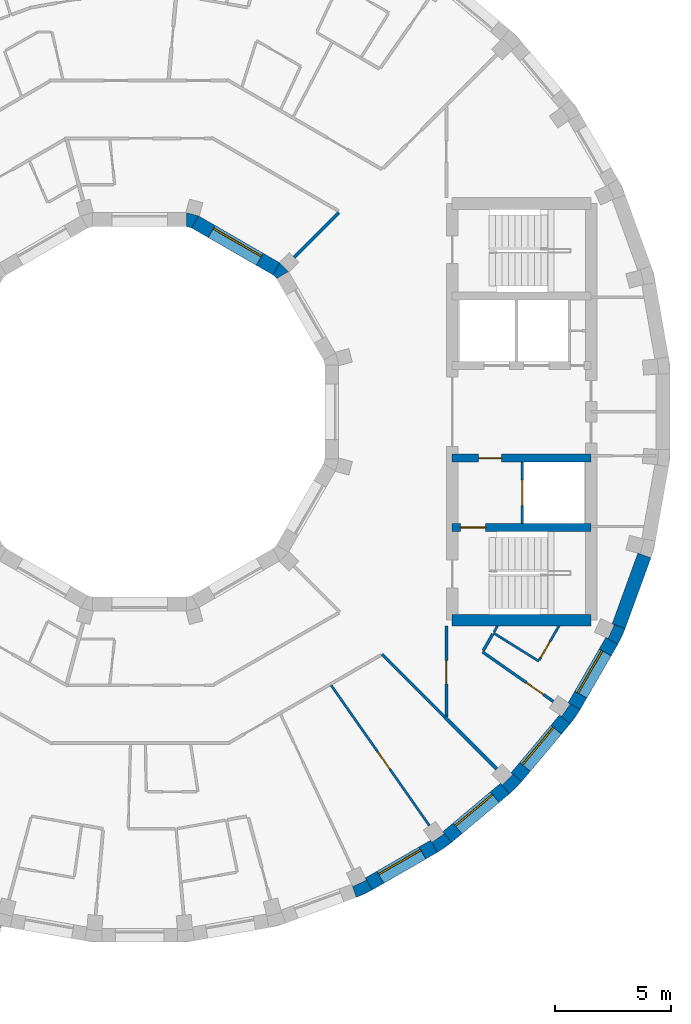
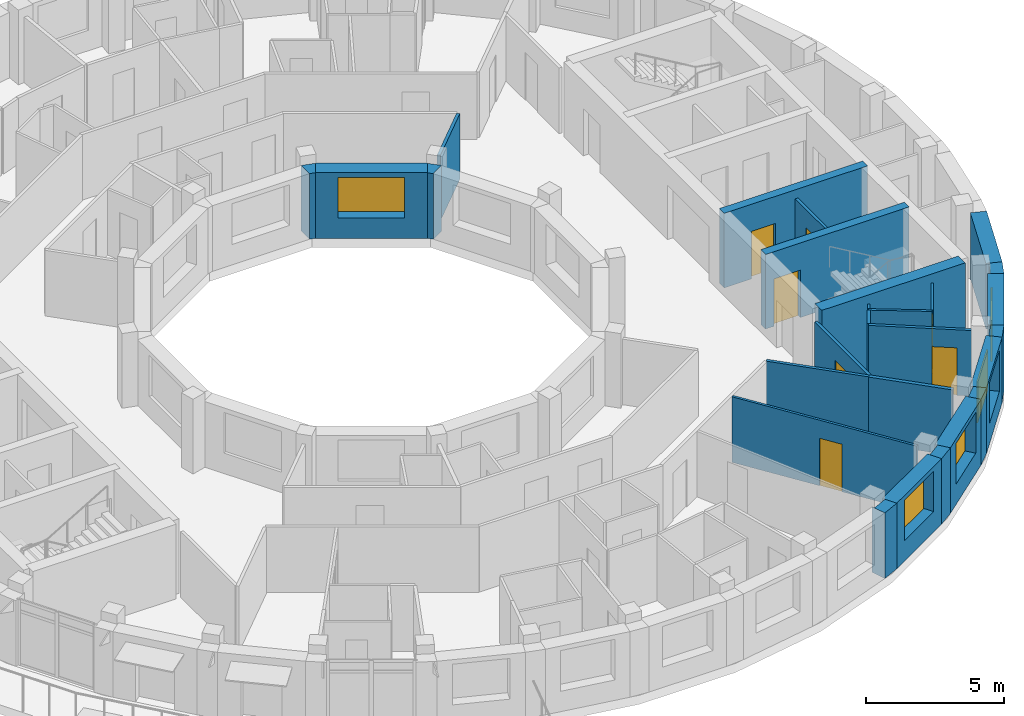
# One storey, part 7 of 12: 27 walls, 7 doors, 5 windows, 12 openings.
"""IFC4 building model written with IfcOpenShell, lengths in metres."""

from ifc_helpers import new_model, si_unit, direction, frame, frame_2d, origin, place, context, subcontext, project, spatial, polyline, rectangle, outline, extrude, material, layer, layer_set, type_object, element, fill, save


model = new_model("IFC4")

# Units and contexts
model_context = context("Model", 3, precision=1e-05, world=origin(), true_north=direction((0.0, 1.0)))
body_context = subcontext(model_context, "Body", "Model", "MODEL_VIEW")
ifc_project = project(units=[si_unit("LENGTHUNIT", "METRE"), si_unit("AREAUNIT", "SQUARE_METRE"), si_unit("VOLUMEUNIT", "CUBIC_METRE"), si_unit("PLANEANGLEUNIT", "RADIAN"), si_unit("MASSUNIT", "GRAM", prefix="KILO")], contexts=[model_context])

# Site, building, storey
site_placement = place(None, origin())
site = spatial("IfcSite", under=ifc_project, at=site_placement, CompositionType="ELEMENT")
building_placement = place(site_placement, origin())
building = spatial("IfcBuilding", under=site, at=building_placement, Name="Saqina Gate Tower", CompositionType="ELEMENT")
storey_placement = place(building_placement, frame((0.0, 0.0, 259.39990234375)))
storey = spatial("IfcBuildingStorey", under=building, at=storey_placement, Name="L74", CompositionType="ELEMENT", Elevation=259.39990234375)

# Walls
ifc_material_1 = material(Name="Brick masonry (buff)", Category="masonry")
wall_type_1 = type_object("IfcWallType", Name="BRICK PIER COPING BUFF", PredefinedType="SOLIDWALL", material=ifc_material_1)
wall_1_placement = place(storey_placement, origin())
element("IfcWall", 1, at=wall_1_placement, inside=storey, type_object=wall_type_1, Name="Pier cap L74 column 30", PredefinedType="SOLIDWALL", context=body_context, shape_type="SweptSolid", body=[
    extrude(outline(polyline([(9.3642578125, -20.974609375), (10.048095703125, -20.65576171875), (9.748291015625, -20.135986328125), (9.79296875, -20.23193359375), (9.203857421875, -20.506591796875), (9.1591796875, -20.410888671875), (9.3642578125, -20.974609375)])), origin(), (0.0, 0.0, 1.0), 2.900146484375),
])
wall_2_placement = place(storey_placement, origin())
element("IfcWall", 2, at=wall_2_placement, inside=storey, type_object=wall_type_1, Name="Pier cap L74 column 31", PredefinedType="SOLIDWALL", context=body_context, shape_type="SweptSolid", body=[
    extrude(outline(polyline([(12.8642578125, -19.02978515625), (13.482421875, -18.59716796875), (13.0966796875, -18.137451171875), (13.157470703125, -18.22412109375), (12.625, -18.596923828125), (12.564208984375, -18.51025390625), (12.8642578125, -19.02978515625)])), origin(), (0.0, 0.0, 1.0), 2.900146484375),
])
wall_3_placement = place(storey_placement, origin())
element("IfcWall", 3, at=wall_3_placement, inside=storey, type_object=wall_type_1, Name="Pier cap L74 column 32", PredefinedType="SOLIDWALL", context=body_context, shape_type="SweptSolid", body=[
    extrude(outline(polyline([(16.5068359375, -15.973388671875), (16.04736328125, -15.587646484375), (16.1220703125, -15.662353515625), (15.662353515625, -16.1220703125), (15.587646484375, -16.04736328125), (15.973388671875, -16.5068359375), (16.5068359375, -15.973388671875)])), origin(), (0.0, 0.0, 1.0), 2.900146484375),
])
wall_4_placement = place(storey_placement, origin())
element("IfcWall", 4, at=wall_4_placement, inside=storey, type_object=wall_type_1, Name="Pier cap L74 column 33", PredefinedType="SOLIDWALL", context=body_context, shape_type="SweptSolid", body=[
    extrude(outline(polyline([(19.02978515625, -12.8642578125), (18.51025390625, -12.564208984375), (18.596923828125, -12.625), (18.22412109375, -13.157470703125), (18.137451171875, -13.0966796875), (18.59716796875, -13.482421875), (19.02978515625, -12.8642578125)])), origin(), (0.0, 0.0, 1.0), 2.900146484375),
])
wall_5_placement = place(storey_placement, origin())
element("IfcWall", 5, at=wall_5_placement, inside=storey, type_object=wall_type_1, Name="Pier cap L74 column 34", PredefinedType="SOLIDWALL", context=body_context, shape_type="SweptSolid", body=[
    extrude(outline(polyline([(20.65576171875, -10.048095703125), (20.974609375, -9.3642578125), (20.410888671875, -9.1591796875), (20.506591796875, -9.203857421875), (20.23193359375, -9.79296875), (20.135986328125, -9.748291015625), (20.65576171875, -10.048095703125)])), origin(), (0.0, 0.0, 1.0), 2.900146484375),
])

# Wall, opening, window
ifc_material_2 = material(Name="Brick masonry (buff)", Category="masonry")
ifc_layer_1 = layer(ifc_material_2, 0.60009765625)
ifc_layer_set_1 = layer_set([ifc_layer_1], Name="FW-BRICK-BUFF")
wall_type_2 = type_object("IfcWallType", Name="FW-BRICK-BUFF", PredefinedType="SOLIDWALL", material=ifc_layer_set_1)
wall_6_placement = place(storey_placement, frame((9.898193359375, -20.39599609375, 0.0), z_axis=(0.0, 0.0, 1.0), x_axis=(0.866016800201, 0.500014901547, 0.0)))
wall_6 = element("IfcWall", 6, at=wall_6_placement, inside=storey, type_object=wall_type_2, Name="Facade wall L74 facet 30", PredefinedType="SOLIDWALL", context=body_context, shape_type="SweptSolid", body=[
    extrude(rectangle(XDim=3.251953125, YDim=0.60009765625, at=frame_2d((1.6259765625, 0.0))), origin(), (0.0, 0.0, 1.0), 2.900146484375),
])
opening_1_placement = place(wall_6_placement, frame((0.57568359375, 0.0, 0.89990234375)))
opening_1 = element("IfcOpeningElement", 7, at=opening_1_placement, cuts=wall_6, Name="Opening G22-W19", PredefinedType="OPENING", context=body_context, shape_type="SweptSolid", body=[
    extrude(rectangle(XDim=2.10009765625, YDim=1.800048828125, at=frame_2d((1.050048828125, 0.89990234375))), frame((0.0, 0.31201171875, 0.0), z_axis=(0.0, -1.0, 0.0), x_axis=(1.0, 0.0, 0.0)), (0.0, 0.0, 1.0), 0.6240234375),
])
ifc_material_3 = material(Name="Aluminium glazing", Category="aluminium")
window_type_1 = type_object("IfcWindowType", Name="WN-D", PartitioningType="SINGLE_PANEL", PredefinedType="WINDOW", material=ifc_material_3)
window_1_placement = place(opening_1_placement, origin())
window_1 = element("IfcWindow", 8, at=window_1_placement, inside=storey, type_object=window_type_1, Name="Window L74 facet 30", OverallHeight=1.800048828125, OverallWidth=2.10009765625, PartitioningType="SINGLE_PANEL", PredefinedType="WINDOW", context=body_context, shape_type="SweptSolid", body=[
    extrude(rectangle(XDim=2.10009765625, YDim=1.800048828125, at=frame_2d((1.050048828125, 0.89990234375))), frame((0.0, 0.179931640625, 0.0), z_axis=(0.0, -1.0, 0.0), x_axis=(1.0, 0.0, 0.0)), (0.0, 0.0, 1.0), 0.06005859375),
])
fill(opening_1, window_1)

wall_7_placement = place(storey_placement, frame((13.28955078125, -18.3671875, 0.0), z_axis=(0.0, 0.0, 1.0), x_axis=(0.766056773982, 0.64277291405, 0.0)))
wall_7 = element("IfcWall", 9, at=wall_7_placement, inside=storey, type_object=wall_type_2, Name="Facade wall L74 facet 31", PredefinedType="SOLIDWALL", context=body_context, shape_type="SweptSolid", body=[
    extrude(rectangle(XDim=3.251708984375, YDim=0.60009765625, at=frame_2d((1.6259765625, 0.0))), origin(), (0.0, 0.0, 1.0), 2.900146484375),
])
opening_2_placement = place(wall_7_placement, frame((0.57568359375, 0.0, 0.89990234375)))
opening_2 = element("IfcOpeningElement", 10, at=opening_2_placement, cuts=wall_7, Name="Opening G22-W20", PredefinedType="OPENING", context=body_context, shape_type="SweptSolid", body=[
    extrude(rectangle(XDim=2.10009765625, YDim=1.800048828125, at=frame_2d((1.050048828125, 0.89990234375))), frame((0.0, 0.31201171875, 0.0), z_axis=(0.0, -1.0, 0.0), x_axis=(1.0, 0.0, 0.0)), (0.0, 0.0, 1.0), 0.6240234375),
])
window_2_placement = place(opening_2_placement, origin())
window_2 = element("IfcWindow", 11, at=window_2_placement, inside=storey, type_object=window_type_1, Name="Window L74 facet 31", OverallHeight=1.800048828125, OverallWidth=2.10009765625, PartitioningType="SINGLE_PANEL", PredefinedType="WINDOW", context=body_context, shape_type="SweptSolid", body=[
    extrude(rectangle(XDim=2.10009765625, YDim=1.800048828125, at=frame_2d((1.050048828125, 0.89990234375))), frame((0.0, 0.179931640625, 0.0), z_axis=(0.0, -1.0, 0.0), x_axis=(1.0, 0.0, 0.0)), (0.0, 0.0, 1.0), 0.06005859375),
])
fill(opening_2, window_2)

wall_8_placement = place(storey_placement, frame((16.277099609375, -15.780517578125, 0.0), z_axis=(0.0, 0.0, 1.0), x_axis=(0.64277291405, 0.766056773982, 0.0)))
wall_8 = element("IfcWall", 12, at=wall_8_placement, inside=storey, type_object=wall_type_2, Name="Facade wall L74 facet 32", PredefinedType="SOLIDWALL", context=body_context, shape_type="SweptSolid", body=[
    extrude(rectangle(XDim=3.251708984375, YDim=0.60009765625, at=frame_2d((1.6259765625, 0.0))), origin(), (0.0, 0.0, 1.0), 2.900146484375),
])
opening_3_placement = place(wall_8_placement, frame((0.57568359375, 0.0, 0.89990234375)))
opening_3 = element("IfcOpeningElement", 13, at=opening_3_placement, cuts=wall_8, Name="Opening G22-W21", PredefinedType="OPENING", context=body_context, shape_type="SweptSolid", body=[
    extrude(rectangle(XDim=2.10009765625, YDim=1.800048828125, at=frame_2d((1.050048828125, 0.89990234375))), frame((0.0, 0.31201171875, 0.0), z_axis=(0.0, -1.0, 0.0), x_axis=(1.0, 0.0, 0.0)), (0.0, 0.0, 1.0), 0.6240234375),
])
window_3_placement = place(opening_3_placement, origin())
window_3 = element("IfcWindow", 14, at=window_3_placement, inside=storey, type_object=window_type_1, Name="Window L74 facet 32", OverallHeight=1.800048828125, OverallWidth=2.10009765625, PartitioningType="SINGLE_PANEL", PredefinedType="WINDOW", context=body_context, shape_type="SweptSolid", body=[
    extrude(rectangle(XDim=2.10009765625, YDim=1.800048828125, at=frame_2d((1.050048828125, 0.89990234375))), frame((0.0, 0.179931640625, 0.0), z_axis=(0.0, -1.0, 0.0), x_axis=(1.0, 0.0, 0.0)), (0.0, 0.0, 1.0), 0.06005859375),
])
fill(opening_3, window_3)

wall_9_placement = place(storey_placement, frame((18.77001953125, -12.71435546875, 0.0), z_axis=(0.0, 0.0, 1.0), x_axis=(0.500014901547, 0.866016800201, 0.0)))
wall_9 = element("IfcWall", 15, at=wall_9_placement, inside=storey, type_object=wall_type_2, Name="Facade wall L74 facet 33", PredefinedType="SOLIDWALL", context=body_context, shape_type="SweptSolid", body=[
    extrude(rectangle(XDim=3.251953125, YDim=0.60009765625, at=frame_2d((1.6259765625, 0.0))), origin(), (0.0, 0.0, 1.0), 2.900146484375),
])
opening_4_placement = place(wall_9_placement, frame((0.57568359375, 0.0, 0.89990234375)))
opening_4 = element("IfcOpeningElement", 16, at=opening_4_placement, cuts=wall_9, Name="Opening G22-W22", PredefinedType="OPENING", context=body_context, shape_type="SweptSolid", body=[
    extrude(rectangle(XDim=2.10009765625, YDim=1.800048828125, at=frame_2d((1.050048828125, 0.89990234375))), frame((0.0, 0.31201171875, 0.0), z_axis=(0.0, -1.0, 0.0), x_axis=(1.0, 0.0, 0.0)), (0.0, 0.0, 1.0), 0.6240234375),
])
window_4_placement = place(opening_4_placement, origin())
window_4 = element("IfcWindow", 17, at=window_4_placement, inside=storey, type_object=window_type_1, Name="Window L74 facet 33", OverallHeight=1.800048828125, OverallWidth=2.10009765625, PartitioningType="SINGLE_PANEL", PredefinedType="WINDOW", context=body_context, shape_type="SweptSolid", body=[
    extrude(rectangle(XDim=2.10009765625, YDim=1.800048828125, at=frame_2d((1.050048828125, 0.89990234375))), frame((0.0, 0.179931640625, 0.0), z_axis=(0.0, -1.0, 0.0), x_axis=(1.0, 0.0, 0.0)), (0.0, 0.0, 1.0), 0.06005859375),
])
fill(opening_4, window_4)

# Wall
ifc_material_4 = material(Name="Glazed ceramic tile (white)", Category="ceramic")
ifc_layer_2 = layer(ifc_material_4, 0.60009765625)
ifc_layer_set_2 = layer_set([ifc_layer_2], Name="FW-TILE-WH")
wall_type_3 = type_object("IfcWallType", Name="FW-TILE-WH", PredefinedType="SOLIDWALL", material=ifc_layer_set_2)
wall_10_placement = place(storey_placement, frame((20.692626953125, -9.26171875, 0.0), z_axis=(0.0, 0.0, 1.0), x_axis=(0.342056509473, 0.939679383794, 0.0)))
element("IfcWall", 18, at=wall_10_placement, inside=storey, type_object=wall_type_3, Name="Facade wall L74 facet 34", PredefinedType="SOLIDWALL", context=body_context, shape_type="SweptSolid", body=[
    extrude(rectangle(XDim=3.251708984375, YDim=0.60009765625, at=frame_2d((1.6259765625, 0.0))), origin(), (0.0, 0.0, 1.0), 2.900146484375),
])

# Wall, opening, window
ifc_material_5 = material(Name="Glazed ceramic tile", Category="ceramic")
ifc_layer_3 = layer(ifc_material_5, 0.60009765625)
ifc_layer_set_3 = layer_set([ifc_layer_3], Name="IW-TILE")
wall_type_4 = type_object("IfcWallType", Name="IW-TILE", PredefinedType="SOLIDWALL", material=ifc_layer_set_3)
wall_11_placement = place(storey_placement, frame((5.907470703125, 6.17333984375, 0.0), z_axis=(0.0, 0.0, 1.0), x_axis=(-0.866028316509, 0.499994954979, 0.0)))
wall_11 = element("IfcWall", 19, at=wall_11_placement, inside=storey, type_object=wall_type_4, Name="Well wall L74 facet 2", PredefinedType="SOLIDWALL", context=body_context, shape_type="SweptSolid", body=[
    extrude(rectangle(XDim=4.05859375, YDim=0.60009765625, at=frame_2d((2.029296875, 0.0))), origin(), (0.0, 0.0, 1.0), 2.900146484375),
])
opening_5_placement = place(wall_11_placement, frame((0.829345703125, 0.0, 0.89990234375)))
opening_5 = element("IfcOpeningElement", 20, at=opening_5_placement, cuts=wall_11, Name="Opening G22-W24", PredefinedType="OPENING", context=body_context, shape_type="SweptSolid", body=[
    extrude(rectangle(XDim=2.39990234375, YDim=1.800048828125, at=frame_2d((1.199951171875, 0.89990234375))), frame((0.0, 0.31201171875, 0.0), z_axis=(0.0, -1.0, 0.0), x_axis=(1.0, 0.0, 0.0)), (0.0, 0.0, 1.0), 0.6240234375),
])
ifc_material_6 = material(Name="Aluminium glazing", Category="aluminium")
window_type_2 = type_object("IfcWindowType", Name="WN-W", PartitioningType="SINGLE_PANEL", PredefinedType="WINDOW", material=ifc_material_6)
window_5_placement = place(opening_5_placement, origin())
window_5 = element("IfcWindow", 21, at=window_5_placement, inside=storey, type_object=window_type_2, Name="Well window L74 facet 2", OverallHeight=1.800048828125, OverallWidth=2.39990234375, PartitioningType="SINGLE_PANEL", PredefinedType="WINDOW", context=body_context, shape_type="SweptSolid", body=[
    extrude(rectangle(XDim=2.39990234375, YDim=1.800048828125, at=frame_2d((1.199951171875, 0.89990234375))), frame((0.0, -0.119873046875, 0.0), z_axis=(0.0, -1.0, 0.0), x_axis=(1.0, 0.0, 0.0)), (0.0, 0.0, 1.0), 0.06005859375),
])
fill(opening_5, window_5)

# Wall, opening, door
ifc_material_7 = material(Name="Gypsum board on steel studs, 100 mm", Category="steel")
ifc_layer_4 = layer(ifc_material_7, 0.10009765625)
ifc_layer_set_4 = layer_set([ifc_layer_4], Name="PARTITION 100")
wall_type_5 = type_object("IfcWallType", Name="PARTITION 100", PredefinedType="PARTITIONING", material=ifc_layer_set_4)
wall_12_placement = place(storey_placement, frame((8.275390625, -11.818115234375, 0.0), z_axis=(0.0, 0.0, 1.0), x_axis=(0.573597629831, -0.819137204046, 0.0)))
wall_12 = element("IfcWall", 22, at=wall_12_placement, inside=storey, type_object=wall_type_5, Name="PARTITION PW3-14", PredefinedType="PARTITIONING", context=body_context, shape_type="SweptSolid", body=[
    extrude(rectangle(XDim=7.3876953125, YDim=0.10009765625, at=frame_2d((3.69384765625, 0.0))), origin(), (0.0, 0.0, 1.0), 2.900146484375),
])
opening_6_placement = place(wall_12_placement, frame((3.50390625, 0.0, 0.0)))
opening_6 = element("IfcOpeningElement", 23, at=opening_6_placement, cuts=wall_12, Name="Opening G22-D42", PredefinedType="OPENING", context=body_context, shape_type="SweptSolid", body=[
    extrude(rectangle(XDim=0.89990234375, YDim=2.10009765625, at=frame_2d((0.449951171875, 1.050048828125))), frame((0.0, 0.06201171875, 0.0), z_axis=(0.0, -1.0, 0.0), x_axis=(1.0, 0.0, 0.0)), (0.0, 0.0, 1.0), 0.1240234375),
])
ifc_material_8 = material(Name="Timber door leaf, 900 mm", Category="wood")
door_type_1 = type_object("IfcDoorType", Name="DOOR 900 TIMBER", OperationType="SINGLE_SWING_LEFT", PredefinedType="DOOR", material=ifc_material_8)
door_1_placement = place(opening_6_placement, frame((0.89990234375, 0.0, 0.0), z_axis=(0.0, 0.0, 1.0), x_axis=(-1.0, 0.0, 0.0)))
door_1 = element("IfcDoor", 24, at=door_1_placement, inside=storey, type_object=door_type_1, Name="DOOR G22-D42", OperationType="SINGLE_SWING_LEFT", OverallHeight=2.10009765625, OverallWidth=0.89990234375, PredefinedType="DOOR", context=body_context, shape_type="SweptSolid", body=[
    extrude(rectangle(XDim=0.89990234375, YDim=2.10009765625, at=frame_2d((0.449951171875, 1.050048828125))), frame((0.0, 0.02490234375, 0.0), z_axis=(0.0, -1.0, 0.0), x_axis=(1.0, 0.0, 0.0)), (0.0, 0.0, 1.0), 0.050048828125),
])
fill(opening_6, door_1)

# Walls
wall_13_placement = place(storey_placement, frame((15.284912109375, -9.550048828125, 0.0), z_axis=(0.0, 0.0, 1.0), x_axis=(0.848022135911, -0.529960807047, 0.0)))
element("IfcWall", 25, at=wall_13_placement, inside=storey, type_object=wall_type_5, Name="PARTITION PW3-15", PredefinedType="PARTITIONING", context=body_context, shape_type="SweptSolid", body=[
    extrude(rectangle(XDim=2.302001953125, YDim=0.10009765625, at=frame_2d((1.15087890625, 0.0))), origin(), (0.0, 0.0, 1.0), 2.900146484375),
])
wall_14_placement = place(storey_placement, frame((15.31005859375, -9.5068359375, 0.0), z_axis=(0.0, 0.0, 1.0), x_axis=(0.503206273965, 0.864166329963, 0.0)))
element("IfcWall", 26, at=wall_14_placement, inside=storey, type_object=wall_type_5, Name="PARTITION PW3-41", PredefinedType="PARTITIONING", context=body_context, shape_type="SweptSolid", body=[
    extrude(rectangle(XDim=0.296875, YDim=0.10009765625, at=frame_2d((0.1484375, 0.0))), origin(), (0.0, 0.0, 1.0), 2.900146484375),
])

# Wall, opening, door
wall_15_placement = place(storey_placement, frame((17.261962890625, -10.726806640625, 0.0), z_axis=(0.0, 0.0, 1.0), x_axis=(0.499743113806, 0.866173666307, 0.0)))
wall_15 = element("IfcWall", 27, at=wall_15_placement, inside=storey, type_object=wall_type_5, Name="PARTITION PW3-42", PredefinedType="PARTITIONING", context=body_context, shape_type="SweptSolid", body=[
    extrude(rectangle(XDim=1.705078125, YDim=0.10009765625, at=frame_2d((0.8525390625, 0.0))), origin(), (0.0, 0.0, 1.0), 2.900146484375),
])
opening_7_placement = place(wall_15_placement, frame((0.12744140625, 0.0, 0.0)))
opening_7 = element("IfcOpeningElement", 28, at=opening_7_placement, cuts=wall_15, Name="Opening G22-D45", PredefinedType="OPENING", context=body_context, shape_type="SweptSolid", body=[
    extrude(rectangle(XDim=0.800048828125, YDim=2.10009765625, at=frame_2d((0.39990234375, 1.050048828125))), frame((0.0, 0.06201171875, 0.0), z_axis=(0.0, -1.0, 0.0), x_axis=(1.0, 0.0, 0.0)), (0.0, 0.0, 1.0), 0.1240234375),
])
ifc_material_9 = material(Name="Timber door leaf, 800 mm", Category="wood")
door_type_2 = type_object("IfcDoorType", Name="DOOR 800 TIMBER", OperationType="SINGLE_SWING_LEFT", PredefinedType="DOOR", material=ifc_material_9)
door_2_placement = place(opening_7_placement, frame((0.800048828125, 0.0, 0.0), z_axis=(0.0, 0.0, 1.0), x_axis=(-1.0, 0.0, 0.0)))
door_2 = element("IfcDoor", 29, at=door_2_placement, inside=storey, type_object=door_type_2, Name="DOOR G22-D45", OperationType="SINGLE_SWING_RIGHT", OverallHeight=2.10009765625, OverallWidth=0.800048828125, PredefinedType="DOOR", context=body_context, shape_type="SweptSolid", body=[
    extrude(rectangle(XDim=0.800048828125, YDim=2.10009765625, at=frame_2d((0.39990234375, 1.050048828125))), frame((0.0, 0.02490234375, 0.0), z_axis=(0.0, -1.0, 0.0), x_axis=(1.0, 0.0, 0.0)), (0.0, 0.0, 1.0), 0.050048828125),
])
fill(opening_7, door_2)

# Wall
ifc_material_10 = material(Name="Gypsum board on steel studs, 125 mm, fire rated", Category="steel")
ifc_layer_5 = layer(ifc_material_10, 0.125)
ifc_layer_set_5 = layer_set([ifc_layer_5], Name="PARTITION EI 30 125")
wall_type_6 = type_object("IfcWallType", Name="PARTITION EI 30 125", PredefinedType="PARTITIONING", material=ifc_layer_set_5)
wall_16_placement = place(storey_placement, frame((10.47705078125, -10.47509765625, 0.0), z_axis=(0.0, 0.0, 1.0), x_axis=(0.707106781187, -0.707106781187, 0.0)))
element("IfcWall", 30, at=wall_16_placement, inside=storey, type_object=wall_type_6, Name="PARTITION PW1-07", PredefinedType="PARTITIONING", context=body_context, shape_type="SweptSolid", body=[
    extrude(rectangle(XDim=3.847900390625, YDim=0.125, at=frame_2d((1.923828125, 0.0))), origin(), (0.0, 0.0, 1.0), 2.900146484375),
])

# Wall, opening, door
wall_17_placement = place(storey_placement, frame((14.81103515625, -10.37109375, 0.0), z_axis=(0.0, 0.0, 1.0), x_axis=(0.819345561084, -0.57329996645, 0.0)))
wall_17 = element("IfcWall", 31, at=wall_17_placement, inside=storey, type_object=wall_type_6, Name="PARTITION PW1-08", PredefinedType="PARTITIONING", context=body_context, shape_type="SweptSolid", body=[
    extrude(rectangle(XDim=3.73388671875, YDim=0.125, at=frame_2d((1.866943359375, 0.0))), origin(), (0.0, 0.0, 1.0), 2.900146484375),
])
opening_8_placement = place(wall_17_placement, frame((2.30810546875, 0.0, 0.0)))
opening_8 = element("IfcOpeningElement", 32, at=opening_8_placement, cuts=wall_17, Name="Opening G22-D44", PredefinedType="OPENING", context=body_context, shape_type="SweptSolid", body=[
    extrude(rectangle(XDim=0.89990234375, YDim=2.10009765625, at=frame_2d((0.449951171875, 1.050048828125))), frame((0.0, 0.074462890625, 0.0), z_axis=(0.0, -1.0, 0.0), x_axis=(1.0, 0.0, 0.0)), (0.0, 0.0, 1.0), 0.14892578125),
])
ifc_material_11 = material(Name="Fire door leaf EI 30, 900 mm")
door_type_3 = type_object("IfcDoorType", Name="DOOR 900 EI 30", OperationType="SINGLE_SWING_LEFT", PredefinedType="DOOR", material=ifc_material_11)
door_3_placement = place(opening_8_placement, frame((0.89990234375, 0.0, 0.0), z_axis=(0.0, 0.0, 1.0), x_axis=(-1.0, 0.0, 0.0)))
door_3 = element("IfcDoor", 33, at=door_3_placement, inside=storey, type_object=door_type_3, Name="DOOR G22-D44", OperationType="SINGLE_SWING_LEFT", OverallHeight=2.10009765625, OverallWidth=0.89990234375, PredefinedType="DOOR", context=body_context, shape_type="SweptSolid", body=[
    extrude(rectangle(XDim=0.89990234375, YDim=2.10009765625, at=frame_2d((0.449951171875, 1.050048828125))), frame((0.0, 0.02490234375, 0.0), z_axis=(0.0, -1.0, 0.0), x_axis=(1.0, 0.0, 0.0)), (0.0, 0.0, 1.0), 0.050048828125),
])
fill(opening_8, door_3)

# Walls
wall_18_placement = place(storey_placement, frame((6.6767578125, 6.6767578125, 0.0), z_axis=(0.0, 0.0, 1.0), x_axis=(0.707106781187, 0.707106781187, 0.0)))
element("IfcWall", 34, at=wall_18_placement, inside=storey, type_object=wall_type_6, Name="PARTITION PW1-32", PredefinedType="PARTITIONING", context=body_context, shape_type="SweptSolid", body=[
    extrude(rectangle(XDim=2.722412109375, YDim=0.125, at=frame_2d((1.361328125, 0.0))), origin(), (0.0, 0.0, 1.0), 2.900146484375),
])
wall_19_placement = place(storey_placement, frame((14.84326171875, -10.315185546875, 0.0), z_axis=(0.0, 0.0, 1.0), x_axis=(0.499950631041, 0.86605390509, 0.0)))
element("IfcWall", 35, at=wall_19_placement, inside=storey, type_object=wall_type_6, Name="PARTITION PW1-36", PredefinedType="PARTITIONING", context=body_context, shape_type="SweptSolid", body=[
    extrude(rectangle(XDim=0.83349609375, YDim=0.125, at=frame_2d((0.416748046875, 0.0))), origin(), (0.0, 0.0, 1.0), 2.900146484375),
])

# Wall, opening, door
wall_20_placement = place(storey_placement, frame((13.25, -13.185546875, 0.0), z_axis=(0.0, 0.0, 1.0), x_axis=(0.0, 1.0, 0.0)))
wall_20 = element("IfcWall", 36, at=wall_20_placement, inside=storey, type_object=wall_type_6, Name="PARTITION PW1-42", PredefinedType="PARTITIONING", context=body_context, shape_type="SweptSolid", body=[
    extrude(rectangle(XDim=3.9345703125, YDim=0.125, at=frame_2d((1.96728515625, 0.0))), origin(), (0.0, 0.0, 1.0), 2.900146484375),
])
opening_9_placement = place(wall_20_placement, frame((1.435546875, 0.0, 0.0)))
opening_9 = element("IfcOpeningElement", 37, at=opening_9_placement, cuts=wall_20, Name="Opening G22-D43", PredefinedType="OPENING", context=body_context, shape_type="SweptSolid", body=[
    extrude(rectangle(XDim=1.0, YDim=2.10009765625, at=frame_2d((0.5, 1.050048828125))), frame((0.0, 0.074462890625, 0.0), z_axis=(0.0, -1.0, 0.0), x_axis=(1.0, 0.0, 0.0)), (0.0, 0.0, 1.0), 0.14892578125),
])
ifc_material_12 = material(Name="Fire door leaf EI 30, 1000 mm")
door_type_4 = type_object("IfcDoorType", Name="DOOR 1000 EI 30", OperationType="SINGLE_SWING_LEFT", PredefinedType="DOOR", material=ifc_material_12)
door_4_placement = place(opening_9_placement, frame((1.0, 0.0, 0.0), z_axis=(0.0, 0.0, 1.0), x_axis=(-1.0, 0.0, 0.0)))
door_4 = element("IfcDoor", 38, at=door_4_placement, inside=storey, type_object=door_type_4, Name="DOOR G22-D43", OperationType="SINGLE_SWING_RIGHT", OverallHeight=2.10009765625, OverallWidth=1.0, PredefinedType="DOOR", context=body_context, shape_type="SweptSolid", body=[
    extrude(rectangle(XDim=1.0, YDim=2.10009765625, at=frame_2d((0.5, 1.050048828125))), frame((0.0, 0.02490234375, 0.0), z_axis=(0.0, -1.0, 0.0), x_axis=(1.0, 0.0, 0.0)), (0.0, 0.0, 1.0), 0.050048828125),
])
fill(opening_9, door_4)

# Wall
ifc_material_13 = material(Name="Gypsum board on steel studs, 150 mm, fire rated", Category="steel")
ifc_layer_6 = layer(ifc_material_13, 0.14990234375)
ifc_layer_set_6 = layer_set([ifc_layer_6], Name="PARTITION EI 60 150")
wall_type_7 = type_object("IfcWallType", Name="PARTITION EI 60 150", PredefinedType="PARTITIONING", material=ifc_layer_set_6)
wall_21_placement = place(storey_placement, frame((13.197998046875, -13.196044921875, 0.0), z_axis=(0.0, 0.0, 1.0), x_axis=(0.707261695581, -0.706951832845, 0.0)))
element("IfcWall", 39, at=wall_21_placement, inside=storey, type_object=wall_type_7, Name="PARTITION PW2-03", PredefinedType="PARTITIONING", context=body_context, shape_type="SweptSolid", body=[
    extrude(rectangle(XDim=3.151611328125, YDim=0.14990234375, at=frame_2d((1.57568359375, 0.0))), origin(), (0.0, 0.0, 1.0), 2.900146484375),
])

# Wall, opening, door
ifc_material_14 = material(Name="Autoclaved aerated concrete block", Category="concrete")
ifc_layer_7 = layer(ifc_material_14, 0.1201171875)
ifc_layer_set_7 = layer_set([ifc_layer_7], Name="SHAFT PARTITION")
wall_type_8 = type_object("IfcWallType", Name="SHAFT PARTITION", PredefinedType="PARTITIONING", material=ifc_layer_set_7)
wall_22_placement = place(storey_placement, frame((16.530029296875, -4.824951171875, 0.0), z_axis=(0.0, 0.0, 1.0), x_axis=(0.0, 1.0, 0.0)))
wall_22 = element("IfcWall", 40, at=wall_22_placement, inside=storey, type_object=wall_type_8, Name="L74-CP-E08", PredefinedType="PARTITIONING", context=body_context, shape_type="SweptSolid", body=[
    extrude(rectangle(XDim=2.64990234375, YDim=0.1201171875, at=frame_2d((1.324951171875, 0.0))), origin(), (0.0, 0.0, 1.0), 2.900146484375),
])
opening_10_placement = place(wall_22_placement, frame((0.77490234375, 0.0, 0.0)))
opening_10 = element("IfcOpeningElement", 41, at=opening_10_placement, cuts=wall_22, Name="Opening G22-LD3", PredefinedType="OPENING", context=body_context, shape_type="SweptSolid", body=[
    extrude(rectangle(XDim=1.10009765625, YDim=2.10009765625, at=frame_2d((0.550048828125, 1.050048828125))), frame((0.0, 0.072021484375, 0.0), z_axis=(0.0, -1.0, 0.0), x_axis=(1.0, 0.0, 0.0)), (0.0, 0.0, 1.0), 0.14404296875),
])
ifc_material_15 = material(Name="Stainless steel", Category="steel")
door_type_5 = type_object("IfcDoorType", Name="LANDING DOOR", OperationType="DOUBLE_DOOR_SLIDING", PredefinedType="DOOR", material=ifc_material_15)
door_5_placement = place(opening_10_placement, origin())
door_5 = element("IfcDoor", 42, at=door_5_placement, inside=storey, type_object=door_type_5, Name="LANDING DOOR FF1", OperationType="DOUBLE_DOOR_SLIDING", OverallHeight=2.10009765625, OverallWidth=1.10009765625, PredefinedType="DOOR", context=body_context, shape_type="SweptSolid", body=[
    extrude(rectangle(XDim=1.10009765625, YDim=2.10009765625, at=frame_2d((0.550048828125, 1.050048828125))), frame((0.0, 0.02490234375, 0.0), z_axis=(0.0, -1.0, 0.0), x_axis=(1.0, 0.0, 0.0)), (0.0, 0.0, 1.0), 0.050048828125),
])
fill(opening_10, door_5)

ifc_material_16 = material(Name="Concrete C60/75", Category="concrete")
ifc_layer_8 = layer(ifc_material_16, 0.35009765625)
ifc_layer_set_8 = layer_set([ifc_layer_8], Name="Concrete C60/75")
wall_type_9 = type_object("IfcWallType", Name="STR-CORE WALL-D-I", PredefinedType="SHEAR", material=ifc_layer_set_8)
wall_23_placement = place(storey_placement, frame((13.5, -5.0, 0.0), z_axis=(0.0, 0.0, 1.0), x_axis=(1.0, 0.0, 0.0)))
wall_23 = element("IfcWall", 43, at=wall_23_placement, inside=storey, type_object=wall_type_9, Name="CORE WALL L74 E-X2", PredefinedType="SHEAR", context=body_context, shape_type="SweptSolid", body=[
    extrude(rectangle(XDim=6.0, YDim=0.35009765625, at=frame_2d((3.0, 0.0))), origin(), (0.0, 0.0, 1.0), 3.300048828125),
])
opening_11_placement = place(wall_23_placement, frame((0.35009765625, 0.0, 0.0)))
opening_11 = element("IfcOpeningElement", 44, at=opening_11_placement, cuts=wall_23, Name="Opening G22-D96", PredefinedType="OPENING", context=body_context, shape_type="SweptSolid", body=[
    extrude(rectangle(XDim=1.10009765625, YDim=2.10009765625, at=frame_2d((0.550048828125, 1.050048828125))), frame((0.0, 0.18701171875, 0.0), z_axis=(0.0, -1.0, 0.0), x_axis=(1.0, 0.0, 0.0)), (0.0, 0.0, 1.0), 0.3740234375),
])
ifc_material_17 = material(Name="Steel", Category="steel")
door_type_6 = type_object("IfcDoorType", Name="FIRE LOBBY DOOR EI 60 WIDE", OperationType="SINGLE_SWING_LEFT", PredefinedType="DOOR", material=ifc_material_17)
door_6_placement = place(opening_11_placement, frame((1.10009765625, 0.0, 0.0), z_axis=(0.0, 0.0, 1.0), x_axis=(-1.0, 0.0, 0.0)))
door_6 = element("IfcDoor", 45, at=door_6_placement, inside=storey, type_object=door_type_6, Name="L74-CD-E07", OperationType="SINGLE_SWING_RIGHT", OverallHeight=2.10009765625, OverallWidth=1.10009765625, PredefinedType="DOOR", context=body_context, shape_type="SweptSolid", body=[
    extrude(rectangle(XDim=1.10009765625, YDim=2.10009765625, at=frame_2d((0.550048828125, 1.050048828125))), frame((0.0, 0.02490234375, 0.0), z_axis=(0.0, -1.0, 0.0), x_axis=(1.0, 0.0, 0.0)), (0.0, 0.0, 1.0), 0.050048828125),
])
fill(opening_11, door_6)

wall_24_placement = place(storey_placement, frame((13.5, -2.0, 0.0), z_axis=(0.0, 0.0, 1.0), x_axis=(1.0, 0.0, 0.0)))
wall_24 = element("IfcWall", 46, at=wall_24_placement, inside=storey, type_object=wall_type_9, Name="CORE WALL L74 E-L2", PredefinedType="SHEAR", context=body_context, shape_type="SweptSolid", body=[
    extrude(rectangle(XDim=6.0, YDim=0.35009765625, at=frame_2d((3.0, 0.0))), origin(), (0.0, 0.0, 1.0), 3.300048828125),
])
opening_12_placement = place(wall_24_placement, frame((1.139892578125, 0.0, 0.0)))
opening_12 = element("IfcOpeningElement", 47, at=opening_12_placement, cuts=wall_24, Name="Opening G22-D91", PredefinedType="OPENING", context=body_context, shape_type="SweptSolid", body=[
    extrude(rectangle(XDim=1.0, YDim=2.10009765625, at=frame_2d((0.5, 1.050048828125))), frame((0.0, 0.18701171875, 0.0), z_axis=(0.0, -1.0, 0.0), x_axis=(1.0, 0.0, 0.0)), (0.0, 0.0, 1.0), 0.3740234375),
])
ifc_material_18 = material(Name="Steel", Category="steel")
door_type_7 = type_object("IfcDoorType", Name="FIRE LOBBY DOOR EI 60", OperationType="SINGLE_SWING_LEFT", PredefinedType="DOOR", material=ifc_material_18)
door_7_placement = place(opening_12_placement, origin())
door_7 = element("IfcDoor", 48, at=door_7_placement, inside=storey, type_object=door_type_7, Name="L74-CD-E02", OperationType="SINGLE_SWING_LEFT", OverallHeight=2.10009765625, OverallWidth=1.0, PredefinedType="DOOR", context=body_context, shape_type="SweptSolid", body=[
    extrude(rectangle(XDim=1.0, YDim=2.10009765625, at=frame_2d((0.5, 1.050048828125))), frame((0.0, 0.02490234375, 0.0), z_axis=(0.0, -1.0, 0.0), x_axis=(1.0, 0.0, 0.0)), (0.0, 0.0, 1.0), 0.050048828125),
])
fill(opening_12, door_7)

# Walls
ifc_material_19 = material(Name="Concrete C60/75", Category="concrete")
ifc_layer_9 = layer(ifc_material_19, 0.5)
ifc_layer_set_9 = layer_set([ifc_layer_9], Name="Concrete C60/75")
wall_type_10 = type_object("IfcWallType", Name="STR-CORE WALL-D-O", PredefinedType="SHEAR", material=ifc_layer_set_9)
wall_25_placement = place(storey_placement, frame((13.5, -9.0, 0.0), z_axis=(0.0, 0.0, 1.0), x_axis=(1.0, 0.0, 0.0)))
element("IfcWall", 49, at=wall_25_placement, inside=storey, type_object=wall_type_10, Name="CORE WALL L74 E-SE", PredefinedType="SHEAR", context=body_context, shape_type="SweptSolid", body=[
    extrude(rectangle(XDim=6.0, YDim=0.5, at=frame_2d((3.0, 0.0))), origin(), (0.0, 0.0, 1.0), 3.300048828125),
])
ifc_material_20 = material(Name="Glazed ceramic tile", Category="ceramic")
wall_type_11 = type_object("IfcWallType", Name="TILE PIER COPING", PredefinedType="SOLIDWALL", material=ifc_material_20)
wall_26_placement = place(storey_placement, origin())
element("IfcWall", 50, at=wall_26_placement, inside=storey, type_object=wall_type_11, Name="Well pier cap L74 column 2", PredefinedType="SOLIDWALL", context=body_context, shape_type="SweptSolid", body=[
    extrude(outline(polyline([(6.0576171875, 6.43310546875), (5.757568359375, 5.91357421875), (5.91357421875, 5.757568359375), (6.43310546875, 6.0576171875), (6.0576171875, 6.43310546875)])), origin(), (0.0, 0.0, 1.0), 2.900146484375),
])
wall_27_placement = place(storey_placement, origin())
element("IfcWall", 51, at=wall_27_placement, inside=storey, type_object=wall_type_11, Name="Well pier cap L74 column 3", PredefinedType="SOLIDWALL", context=body_context, shape_type="SweptSolid", body=[
    extrude(outline(polyline([(2.029296875, 8.60009765625), (2.029296875, 8.0), (2.242431640625, 7.94287109375), (2.54248046875, 8.46240234375), (2.029296875, 8.60009765625)])), origin(), (0.0, 0.0, 1.0), 2.900146484375),
])

save(model, "model.ifc")
